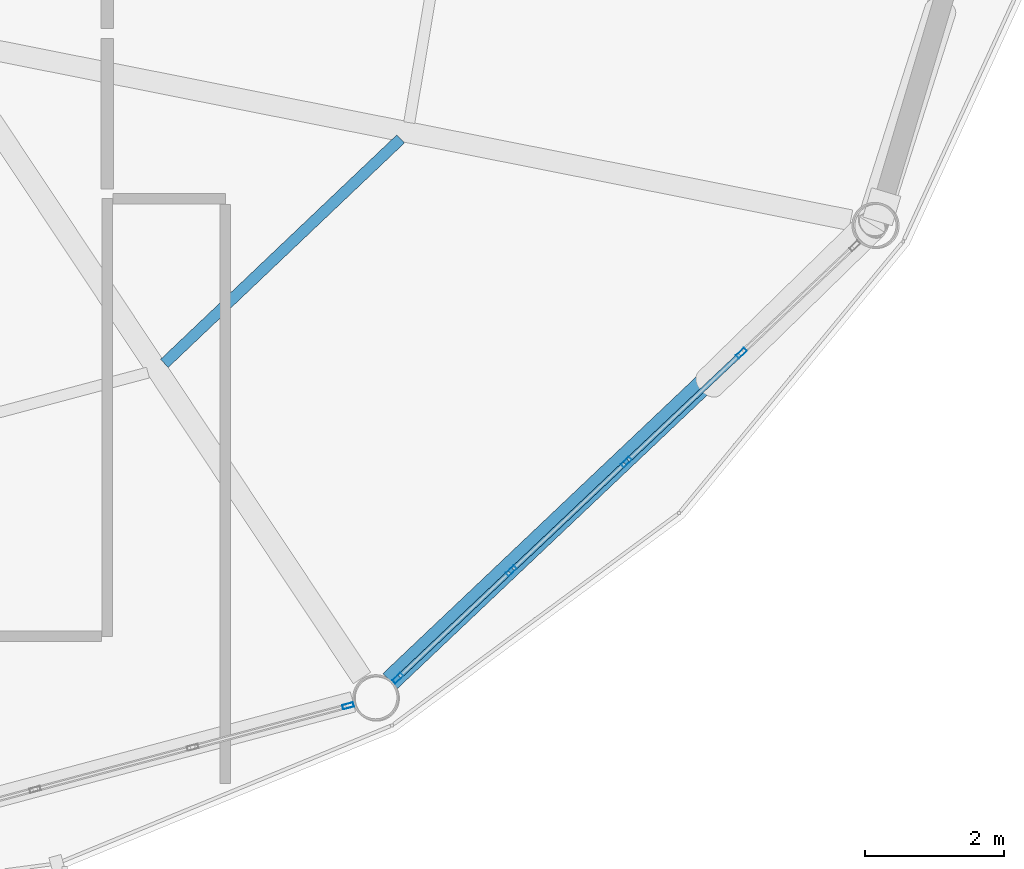
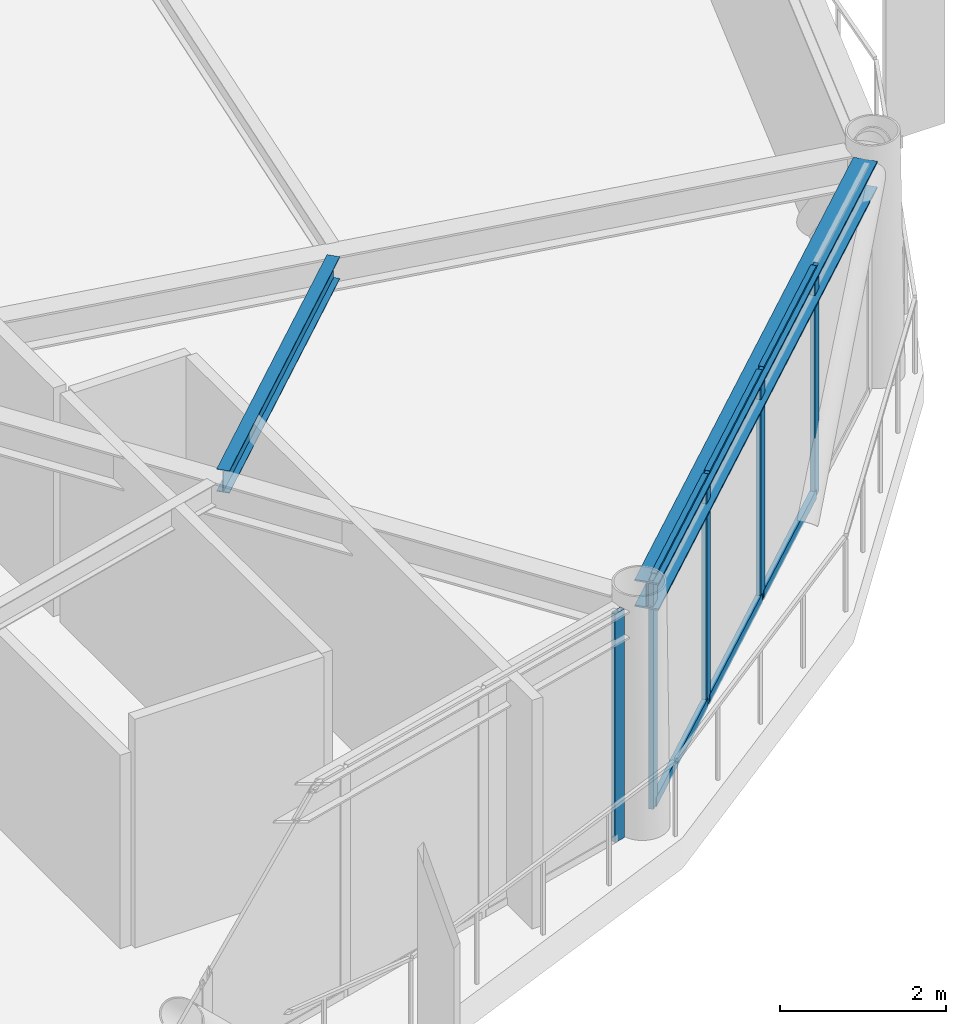
# One storey, part 9 of 25: 11 members, 2 beams, 2 elements without a shape of their own.
"""IFC4 building model written with IfcOpenShell, lengths in metres."""

import ifcopenshell
import ifcopenshell.guid

model = None  # the IFC model being written
_history = None  # IfcOwnerHistory: only IFC2X3 demands one
_inside = {}  # id of a spatial element -> (the spatial element, [elements in it])
_under = {}  # id of a project, library or spatial element -> (it, [spatial elements below it])
_declared = {}  # id of a project -> (the project, [libraries it declares])
_typed = {}  # id of a type object -> (the type object, [elements of that type])
_made_of = {}  # id of a material, layer set ... -> (it, [elements and type objects made of it])


def new_model(schema):
    """Start an empty IFC model of exactly this schema.

    Asked for "IFC4X3", IfcOpenShell would pick the latest addendum, in which some entities
    have other attributes; the version numbers below select the first issue.
    IFC2X3 requires an IfcOwnerHistory on every rooted entity: one is made here for all.
    """
    global model, _history
    if schema == "IFC4X3":
        model = ifcopenshell.file(schema_version=(4, 3, 0, 0))
    else:
        model = ifcopenshell.file(schema=schema)
    _inside.clear()
    _under.clear()
    _declared.clear()
    _typed.clear()
    _made_of.clear()
    _history = None
    if model.schema == "IFC2X3":
        org = make("IfcOrganization", Name="unknown")
        user = make(
            "IfcPersonAndOrganization",
            ThePerson=make("IfcPerson", FamilyName="unknown"),
            TheOrganization=org,
        )
        app = make(
            "IfcApplication",
            ApplicationDeveloper=org,
            Version="unknown",
            ApplicationFullName="unknown",
            ApplicationIdentifier="unknown",
        )
        _history = make(
            "IfcOwnerHistory",
            OwningUser=user,
            OwningApplication=app,
            ChangeAction="ADDED",
            CreationDate=0,
        )
    return model


def make(cls, **values):
    """One entity of the class cls with the attributes given. An attribute that is None is left unset."""
    return model.create_entity(
        cls, **{name: value for name, value in values.items() if value is not None}
    )


def rooted(cls, **values):
    """An entity with a GlobalId (a new one), such as an element, a storey or a relation."""
    return make(cls, GlobalId=ifcopenshell.guid.new(), OwnerHistory=_history, **values)


def si_unit(unit_type, name, prefix=None):
    """IfcSIUnit, for example si_unit("LENGTHUNIT", "METRE", prefix="MILLI")."""
    return make("IfcSIUnit", UnitType=unit_type, Prefix=prefix, Name=name)


def assignment(units):
    """IfcUnitAssignment: the units of a project."""
    return None if units is None else make("IfcUnitAssignment", Units=units)


def point(xyz):
    """IfcCartesianPoint."""
    return None if xyz is None else make("IfcCartesianPoint", Coordinates=xyz)


def direction(xyz):
    """IfcDirection."""
    return None if xyz is None else make("IfcDirection", DirectionRatios=xyz)


def frame(location, z_axis=None, x_axis=None):
    """IfcAxis2Placement3D, a coordinate frame: its origin and axes. An axis left out is left unset."""
    return make(
        "IfcAxis2Placement3D",
        Location=point(location),
        Axis=direction(z_axis),
        RefDirection=direction(x_axis),
    )


def frame_2d(location, x_axis=None):
    """IfcAxis2Placement2D, a coordinate frame in the plane: its origin and x axis."""
    return make(
        "IfcAxis2Placement2D", Location=point(location), RefDirection=direction(x_axis)
    )


def origin():
    """The frame at (0, 0, 0) with its axes left unset."""
    return frame((0.0, 0.0, 0.0))


def origin_2d():
    """The frame at (0, 0) in the plane with its x axis left unset."""
    return frame_2d((0.0, 0.0))


def place(relative_to, where):
    """IfcLocalPlacement: puts the frame where relative to a parent placement (None: the world)."""
    return make(
        "IfcLocalPlacement", PlacementRelTo=relative_to, RelativePlacement=where
    )


def context(
    kind, dimensions, precision=None, world=None, true_north=None, identifier=None
):
    """IfcGeometricRepresentationContext, for example the 3D "Model" context."""
    return make(
        "IfcGeometricRepresentationContext",
        ContextIdentifier=identifier,
        ContextType=kind,
        CoordinateSpaceDimension=dimensions,
        Precision=precision,
        WorldCoordinateSystem=world,
        TrueNorth=true_north,
    )


def subcontext(parent, identifier, kind, view, scale=None):
    """IfcGeometricRepresentationSubContext, for example "Body" below "Model"."""
    return make(
        "IfcGeometricRepresentationSubContext",
        ContextIdentifier=identifier,
        ContextType=kind,
        ParentContext=parent,
        TargetScale=scale,
        TargetView=view,
    )


def project(units=None, contexts=None):
    """IfcProject with its units and contexts."""
    return rooted(
        "IfcProject",
        Name="project",
        RepresentationContexts=contexts,
        UnitsInContext=assignment(units),
    )


def spatial(cls, under=None, at=None, **own):
    """A site, building, storey or space (cls), placed at a placement, below another one or the project."""
    s = rooted(cls, ObjectPlacement=at, **own)
    if under is not None:
        _under.setdefault(under.id(), (under, []))[1].append(s)
    return s


def profile(cls, at=None, kind="AREA", **sizes):
    """A parametric profile (cls). Its sizes go by their IFC names, for example OverallWidth=200.0."""
    return make(cls, ProfileType=kind, Position=at, **sizes)


def hollow_rectangle(**sizes):
    """IfcRectangleHollowProfileDef."""
    return profile("IfcRectangleHollowProfileDef", **sizes)


def i_section(**sizes):
    """IfcIShapeProfileDef."""
    return profile("IfcIShapeProfileDef", **sizes)


def extrude(swept, where, along, depth):
    """IfcExtrudedAreaSolid: the profile swept, set in the frame where, extruded along a direction by depth."""
    return make(
        "IfcExtrudedAreaSolid",
        SweptArea=swept,
        Position=where,
        ExtrudedDirection=direction(along),
        Depth=depth,
    )


def shape(context_of_items, identifier, shape_type, items):
    """IfcShapeRepresentation: the items that make up one representation, for example the "Body"."""
    return make(
        "IfcShapeRepresentation",
        ContextOfItems=context_of_items,
        RepresentationIdentifier=identifier,
        RepresentationType=shape_type,
        Items=items,
    )


def material(Name=None, Category=None):
    """IfcMaterial."""
    return make("IfcMaterial", Name=Name, Category=Category)


def layer(
    of_material, thickness, ventilated=None, Name=None, Category=None, Priority=None
):
    """IfcMaterialLayer: one layer of a wall or slab, of a material (None: an air gap)."""
    return make(
        "IfcMaterialLayer",
        Material=of_material,
        LayerThickness=thickness,
        IsVentilated=ventilated,
        Name=Name,
        Category=Category,
        Priority=Priority,
    )


def layer_set(layers, Name=None):
    """IfcMaterialLayerSet."""
    return make("IfcMaterialLayerSet", MaterialLayers=layers, LayerSetName=Name)


def material_profile(
    of_material, cross_section, Name=None, Category=None, Priority=None
):
    """IfcMaterialProfile: a cross section and its material."""
    return make(
        "IfcMaterialProfile",
        Name=Name,
        Material=of_material,
        Profile=cross_section,
        Priority=Priority,
        Category=Category,
    )


def profile_set(profiles, Name=None, composite=None):
    """IfcMaterialProfileSet."""
    return make(
        "IfcMaterialProfileSet",
        Name=Name,
        MaterialProfiles=profiles,
        CompositeProfile=composite,
    )


def made_of(thing, what):
    """Note that an element or type object is made of a material, layer set ...; save() writes the relation."""
    if what is not None:
        _made_of.setdefault(what.id(), (what, []))[1].append(thing)
    return thing


def type_object(cls, material=None, **own):
    """A type object (cls), such as IfcWallType, which elements share."""
    return made_of(rooted(cls, **own), material)


def element(
    cls,
    number,
    at=None,
    inside=None,
    cuts=None,
    type_object=None,
    material=None,
    context=None,
    identifier="Body",
    shape_type=None,
    held_by="IfcProductDefinitionShape",
    body=None,
    shapes=None,
    **own,
):
    """One element of the class cls, such as IfcWall. Its Tag is "e" and its number.

    at: its placement. inside: the storey or other place that contains it. cuts: it is an
    opening in that element (IfcRelVoidsElement). A single representation is given by context,
    identifier, shape_type and body (its items); several are given by shapes. held_by: the class
    of the entity that holds the representations. save() writes the other relations.
    """
    e = rooted(cls, Tag="e%d" % number, ObjectPlacement=at, **own)
    if body is not None:
        shapes = [shape(context, identifier, shape_type, body)]
    if shapes is not None:
        e.Representation = make(held_by, Representations=shapes)
    if inside is not None:
        _inside.setdefault(inside.id(), (inside, []))[1].append(e)
    if cuts is not None:
        rooted(
            "IfcRelVoidsElement", RelatingBuildingElement=cuts, RelatedOpeningElement=e
        )
    if type_object is not None:
        _typed.setdefault(type_object.id(), (type_object, []))[1].append(e)
    return made_of(e, material)


def aggregate(whole, parts):
    """IfcRelAggregates: a whole, such as a stair, and the parts it consists of."""
    return rooted("IfcRelAggregates", RelatingObject=whole, RelatedObjects=parts)


def save(model, path):
    """Write the relations noted so far, then the file.

    IfcRelAggregates (storeys below a building ...), IfcRelContainedInSpatialStructure (elements
    in a storey), IfcRelDefinesByType, IfcRelAssociatesMaterial and IfcRelDeclares: one each for
    every whole, place, type object, material and project.
    """
    for whole, parts in _under.values():
        aggregate(whole, parts)
    for where, things in _inside.values():
        rooted(
            "IfcRelContainedInSpatialStructure",
            RelatedElements=things,
            RelatingStructure=where,
        )
    for kind, things in _typed.values():
        rooted("IfcRelDefinesByType", RelatedObjects=things, RelatingType=kind)
    for what, things in _made_of.values():
        rooted("IfcRelAssociatesMaterial", RelatedObjects=things, RelatingMaterial=what)
    for by, libraries in _declared.values():
        rooted("IfcRelDeclares", RelatingContext=by, RelatedDefinitions=libraries)
    model.write(path)


model = new_model("IFC4")

# Units and contexts
model_context = context("Model", 3, precision=1e-05, world=origin(), true_north=direction((0.0, 1.0)))
body_context = subcontext(model_context, "Body", "Model", "MODEL_VIEW")
ifc_project = project(units=[si_unit("LENGTHUNIT", "METRE"), si_unit("AREAUNIT", "SQUARE_METRE"), si_unit("VOLUMEUNIT", "CUBIC_METRE"), si_unit("PLANEANGLEUNIT", "RADIAN"), si_unit("MASSUNIT", "GRAM", prefix="KILO")], contexts=[model_context])

# Site, building, storey
site_placement = place(None, origin())
site = spatial("IfcSite", under=ifc_project, at=site_placement, CompositionType="ELEMENT")
building_placement = place(site_placement, origin())
building = spatial("IfcBuilding", under=site, at=building_placement, Name="Varnakorn Sky Granary", CompositionType="ELEMENT")
storey_placement = place(building_placement, frame((0.0, 0.0, 178.800048828125)))
storey = spatial("IfcBuildingStorey", under=building, at=storey_placement, Name="L44", CompositionType="ELEMENT", Elevation=178.800048828125)

# Beams
ifc_material_1 = material(Name="Steel S355JR", Category="steel")
ifc_material_profile_1 = material_profile(ifc_material_1, i_section(OverallWidth=0.159912109375, OverallDepth=0.330078125, WebThickness=0.007568359375, FlangeThickness=0.011474609375, at=origin_2d()), Name="IPE 330")
ifc_profile_set_1 = profile_set([ifc_material_profile_1], Name="Steel S355JR")
beam_type_1 = type_object("IfcBeamType", Name="BM-SEC-Z4", PredefinedType="BEAM", material=ifc_profile_set_1)
beam_1_placement = place(storey_placement, frame((11.621337890625, -11.272216796875, 3.195068359375), z_axis=(0.724940940002, 0.688811028881, 0.0), x_axis=(-0.688811028881, 0.724940940002, 0.0)))
element("IfcBeam", 1, at=beam_1_placement, inside=storey, type_object=beam_type_1, Name="Secondary Floor Chord Beam MSB11 L44", PredefinedType="BEAM", context=body_context, shape_type="SweptSolid", body=[
    extrude(i_section(OverallWidth=0.159912109375, OverallDepth=0.330078125, WebThickness=0.007568359375, FlangeThickness=0.011474609375, at=origin_2d()), origin(), (0.0, 0.0, 1.0), 4.689453125),
])
ifc_material_profile_2 = material_profile(ifc_material_1, i_section(OverallWidth=0.300048828125, OverallDepth=0.39990234375, WebThickness=0.013427734375, FlangeThickness=0.02392578125, at=origin_2d()), Name="HE 400 B")
ifc_profile_set_2 = profile_set([ifc_material_profile_2], Name="Steel S355JR")
beam_type_2 = type_object("IfcBeamType", Name="BM-SPD-Z4", PredefinedType="SPANDREL", material=ifc_profile_set_2)
beam_2_placement = place(storey_placement, frame((14.86865234375, -15.845703125, 3.159912109375), z_axis=(0.725986697068, 0.687708743351, 0.0), x_axis=(-0.687708743351, 0.725986697068, 0.0)))
element("IfcBeam", 2, at=beam_2_placement, inside=storey, type_object=beam_type_2, Name="Perimeter Spandrel Ring Beam RB11 L44", PredefinedType="SPANDREL", context=body_context, shape_type="SweptSolid", body=[
    extrude(i_section(OverallWidth=0.300048828125, OverallDepth=0.39990234375, WebThickness=0.013427734375, FlangeThickness=0.02392578125, at=origin_2d()), origin(), (0.0, 0.0, 1.0), 9.241943359375),
])

# Curtain wall, member
ifc_material_2 = material(Name="Anodised Bronze Aluminium Alloy 6063-T6", Category="aluminium")
ifc_layer = layer(ifc_material_2, 0.169921875, Name="Anodised Bronze Aluminium Alloy 6063-T6")
ifc_layer_set = layer_set([ifc_layer], Name="Anodised Bronze Aluminium Alloy 6063-T6")
curtain_wall_type = type_object("IfcCurtainWallType", Name="CW-LAB-1", PredefinedType="USERDEFINED", material=ifc_layer_set)
curtain_wall_1_placement = place(storey_placement, origin())
curtain_wall_1 = element("IfcCurtainWall", 3, at=curtain_wall_1_placement, inside=storey, type_object=curtain_wall_type, Name="Unitised Curtain Wall CW5 CW-L44-B10", ObjectType="CURTAIN WALL", PredefinedType="USERDEFINED")
ifc_material_profile_3 = material_profile(ifc_material_2, hollow_rectangle(XDim=0.06494140625, YDim=0.159912109375, WallThickness=0.00341796875, at=origin_2d()), Name="ALU MULL 65x160")
ifc_profile_set_3 = profile_set([ifc_material_profile_3], Name="Anodised Bronze Aluminium Alloy 6063-T6")
member_type_1 = type_object("IfcMemberType", Name="CW-LAB-1-MULL", PredefinedType="MULLION", material=ifc_profile_set_3)
member_1_placement = place(storey_placement, frame((14.265380859375, -16.20068359375, 0.0), z_axis=(0.0, 0.0, 1.0), x_axis=(0.258096215547, -0.966119218068, 0.0)))
member_1 = element("IfcMember", 4, at=member_1_placement, type_object=member_type_1, Name="CW5 mullion 1", PredefinedType="MULLION", context=body_context, shape_type="SweptSolid", body=[
    extrude(hollow_rectangle(XDim=0.06494140625, YDim=0.159912109375, WallThickness=0.00341796875, at=origin_2d()), origin(), (0.0, 0.0, 1.0), 3.35986328125),
])
aggregate(curtain_wall_1, [member_1])

# Curtain wall, members
curtain_wall_2_placement = place(storey_placement, origin())
curtain_wall_2 = element("IfcCurtainWall", 5, at=curtain_wall_2_placement, inside=storey, type_object=curtain_wall_type, Name="Unitised Curtain Wall CW5 CW-L44-B11", ObjectType="CURTAIN WALL", PredefinedType="USERDEFINED")
member_2_placement = place(storey_placement, frame((19.92529296875, -11.124755859375, 0.0), z_axis=(0.0, 0.0, 1.0), x_axis=(0.687123508986, -0.726540627494, 0.0)))
member_2 = element("IfcMember", 6, at=member_2_placement, type_object=member_type_1, Name="CW5 mullion 2", PredefinedType="MULLION", context=body_context, shape_type="SweptSolid", body=[
    extrude(hollow_rectangle(XDim=0.06494140625, YDim=0.159912109375, WallThickness=0.00341796875, at=origin_2d()), origin(), (0.0, 0.0, 1.0), 3.35986328125),
])
member_3_placement = place(storey_placement, frame((18.26904296875, -12.691162109375, 0.0), z_axis=(0.0, 0.0, 1.0), x_axis=(0.687123508986, -0.726540627494, 0.0)))
member_3 = element("IfcMember", 7, at=member_3_placement, type_object=member_type_1, Name="CW5 mullion 3", PredefinedType="MULLION", context=body_context, shape_type="SweptSolid", body=[
    extrude(hollow_rectangle(XDim=0.06494140625, YDim=0.159912109375, WallThickness=0.00341796875, at=origin_2d()), origin(), (0.0, 0.0, 1.0), 3.35986328125),
])
member_4_placement = place(storey_placement, frame((16.613037109375, -14.25732421875, 0.0), z_axis=(0.0, 0.0, 1.0), x_axis=(0.687123508986, -0.726540627494, 0.0)))
member_4 = element("IfcMember", 8, at=member_4_placement, type_object=member_type_1, Name="CW5 mullion 4", PredefinedType="MULLION", context=body_context, shape_type="SweptSolid", body=[
    extrude(hollow_rectangle(XDim=0.06494140625, YDim=0.159912109375, WallThickness=0.00341796875, at=origin_2d()), origin(), (0.0, 0.0, 1.0), 3.35986328125),
])
member_5_placement = place(storey_placement, frame((14.98046875, -15.80126953125, 0.0), z_axis=(0.0, 0.0, 1.0), x_axis=(0.687123508986, -0.726540627494, 0.0)))
member_5 = element("IfcMember", 9, at=member_5_placement, type_object=member_type_1, Name="CW5 mullion 5", PredefinedType="MULLION", context=body_context, shape_type="SweptSolid", body=[
    extrude(hollow_rectangle(XDim=0.06494140625, YDim=0.159912109375, WallThickness=0.00341796875, at=origin_2d()), origin(), (0.0, 0.0, 1.0), 3.35986328125),
])
ifc_material_profile_4 = material_profile(ifc_material_2, hollow_rectangle(XDim=0.070068359375, YDim=0.139892578125, WallThickness=0.00341796875, at=origin_2d()), Name="ALU TRAN 70x140")
ifc_profile_set_4 = profile_set([ifc_material_profile_4], Name="Anodised Bronze Aluminium Alloy 6063-T6")
member_type_2 = type_object("IfcMemberType", Name="CW-LAB-1-TRAN", PredefinedType="USERDEFINED", material=ifc_profile_set_4)
member_6_placement = place(storey_placement, frame((19.901611328125, -11.147216796875, 0.034912109375), z_axis=(-0.726566591573, -0.687096054428, 0.0), x_axis=(0.687096054428, -0.726566591573, 0.0)))
member_6 = element("IfcMember", 10, at=member_6_placement, type_object=member_type_2, Name="CW5 transom 2.1", ObjectType="TRANSOM", PredefinedType="USERDEFINED", context=body_context, shape_type="SweptSolid", body=[
    extrude(hollow_rectangle(XDim=0.070068359375, YDim=0.139892578125, WallThickness=0.00341796875, at=origin_2d()), origin(), (0.0, 0.0, 1.0), 2.21435546875),
])
member_7_placement = place(storey_placement, frame((19.901611328125, -11.147216796875, 3.324951171875), z_axis=(-0.726566591573, -0.687096054428, 0.0), x_axis=(0.687096054428, -0.726566591573, 0.0)))
member_7 = element("IfcMember", 11, at=member_7_placement, type_object=member_type_2, Name="CW5 transom 2.2", ObjectType="TRANSOM", PredefinedType="USERDEFINED", context=body_context, shape_type="SweptSolid", body=[
    extrude(hollow_rectangle(XDim=0.070068359375, YDim=0.139892578125, WallThickness=0.00341796875, at=origin_2d()), origin(), (0.0, 0.0, 1.0), 2.21435546875),
])
member_8_placement = place(storey_placement, frame((18.24560546875, -12.71337890625, 0.034912109375), z_axis=(-0.726511552845, -0.68715425021, 0.0), x_axis=(0.68715425021, -0.726511552845, 0.0)))
member_8 = element("IfcMember", 12, at=member_8_placement, type_object=member_type_2, Name="CW5 transom 3.1", ObjectType="TRANSOM", PredefinedType="USERDEFINED", context=body_context, shape_type="SweptSolid", body=[
    extrude(hollow_rectangle(XDim=0.070068359375, YDim=0.139892578125, WallThickness=0.00341796875, at=origin_2d()), origin(), (0.0, 0.0, 1.0), 2.214599609375),
])
member_9_placement = place(storey_placement, frame((18.24560546875, -12.71337890625, 3.324951171875), z_axis=(-0.726511552845, -0.68715425021, 0.0), x_axis=(0.68715425021, -0.726511552845, 0.0)))
member_9 = element("IfcMember", 13, at=member_9_placement, type_object=member_type_2, Name="CW5 transom 3.2", ObjectType="TRANSOM", PredefinedType="USERDEFINED", context=body_context, shape_type="SweptSolid", body=[
    extrude(hollow_rectangle(XDim=0.070068359375, YDim=0.139892578125, WallThickness=0.00341796875, at=origin_2d()), origin(), (0.0, 0.0, 1.0), 2.214599609375),
])
member_10_placement = place(storey_placement, frame((16.58935546875, -14.279541015625, 0.034912109375), z_axis=(-0.726469926582, -0.687198257981, 0.0), x_axis=(0.687198257981, -0.726469926582, 0.0)))
member_10 = element("IfcMember", 14, at=member_10_placement, type_object=member_type_2, Name="CW5 transom 4.1", ObjectType="TRANSOM", PredefinedType="USERDEFINED", context=body_context, shape_type="SweptSolid", body=[
    extrude(hollow_rectangle(XDim=0.070068359375, YDim=0.139892578125, WallThickness=0.00341796875, at=origin_2d()), origin(), (0.0, 0.0, 1.0), 2.18212890625),
])
member_11_placement = place(storey_placement, frame((16.58935546875, -14.279541015625, 3.324951171875), z_axis=(-0.726469926582, -0.687198257981, 0.0), x_axis=(0.687198257981, -0.726469926582, 0.0)))
member_11 = element("IfcMember", 15, at=member_11_placement, type_object=member_type_2, Name="CW5 transom 4.2", ObjectType="TRANSOM", PredefinedType="USERDEFINED", context=body_context, shape_type="SweptSolid", body=[
    extrude(hollow_rectangle(XDim=0.070068359375, YDim=0.139892578125, WallThickness=0.00341796875, at=origin_2d()), origin(), (0.0, 0.0, 1.0), 2.18212890625),
])
aggregate(curtain_wall_2, [member_2, member_3, member_4, member_5, member_6, member_7, member_8, member_9, member_10, member_11])

save(model, "model.ifc")
